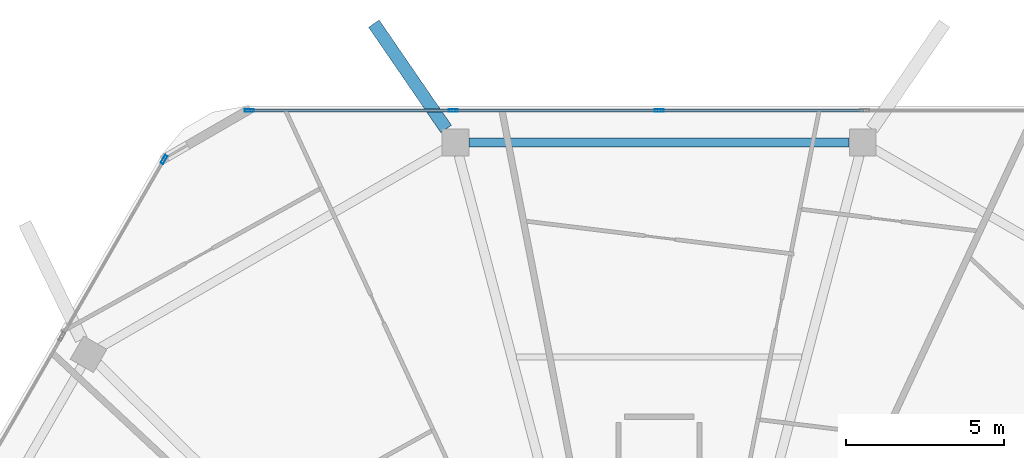
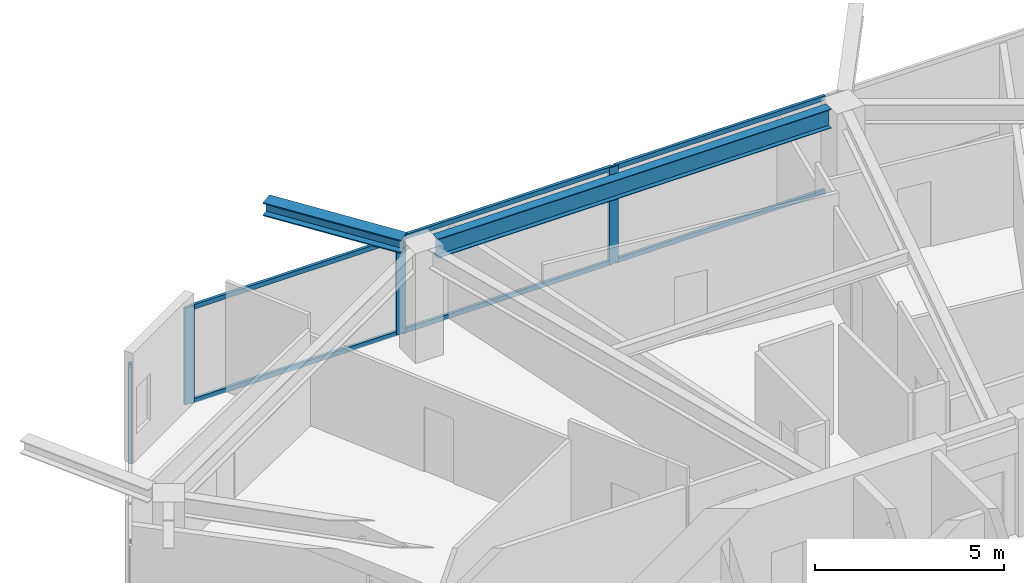
# One storey, part 13 of 26: 10 members, 2 beams, 2 elements without a shape of their own.
"""IFC4 building model written with IfcOpenShell, lengths in metres."""

from ifc_helpers import new_model, si_unit, direction, frame, origin, origin_2d, place, context, subcontext, project, spatial, hollow_rectangle, i_section, extrude, material, material_profile, profile_set, type_object, element, aggregate, save


model = new_model("IFC4")

# Units and contexts
model_context = context("Model", 3, precision=1e-05, world=origin(), true_north=direction((0.0, 1.0)))
body_context = subcontext(model_context, "Body", "Model", "MODEL_VIEW")
ifc_project = project(units=[si_unit("LENGTHUNIT", "METRE"), si_unit("AREAUNIT", "SQUARE_METRE"), si_unit("VOLUMEUNIT", "CUBIC_METRE"), si_unit("PLANEANGLEUNIT", "RADIAN"), si_unit("MASSUNIT", "GRAM", prefix="KILO")], contexts=[model_context])

# Site, building, storey
site_placement = place(None, origin())
site = spatial("IfcSite", under=ifc_project, at=site_placement, CompositionType="ELEMENT")
building_placement = place(site_placement, origin())
building = spatial("IfcBuilding", under=site, at=building_placement, Name="Zuhravey Tower", CompositionType="ELEMENT")
storey_placement = place(building_placement, frame((0.0, 0.0, 273.0)))
storey = spatial("IfcBuildingStorey", under=building, at=storey_placement, Name="L69", CompositionType="ELEMENT", Elevation=273.0)

# Curtain wall, member
ifc_material_1 = material(Name="Thermally broken anodised aluminium", Category="aluminium")
curtain_wall_type = type_object("IfcCurtainWallType", Name="Zone 3-4 High-Rise Curtain Wall CW4", PredefinedType="NOTDEFINED", material=ifc_material_1)
curtain_wall_1_placement = place(storey_placement, origin())
curtain_wall_1 = element("IfcCurtainWall", 1, at=curtain_wall_1_placement, inside=storey, type_object=curtain_wall_type, Name="L69 CW4 CW-L69-F3-1", PredefinedType="NOTDEFINED")
ifc_material_2 = material(Name="Anodised aluminium", Category="aluminium")
ifc_material_profile_1 = material_profile(ifc_material_2, hollow_rectangle(XDim=0.090087890625, YDim=0.284912109375, WallThickness=0.0048828125, at=origin_2d()), Name="ALU-RHS-90x285x5")
ifc_profile_set_1 = profile_set([ifc_material_profile_1], Name="Anodised aluminium")
member_type_1 = type_object("IfcMemberType", Name="Curtain-Wall Mullion 90x180", PredefinedType="MULLION", material=ifc_profile_set_1)
member_1_placement = place(storey_placement, frame((20.34521484375, 56.01220703125, 0.0), z_axis=(0.0, 0.0, 1.0), x_axis=(-0.866024851021, 0.500000957414, 0.0)))
member_1 = element("IfcMember", 2, at=member_1_placement, type_object=member_type_1, Name="CW4 mullion 5", PredefinedType="MULLION", context=body_context, shape_type="SweptSolid", body=[
    extrude(hollow_rectangle(XDim=0.090087890625, YDim=0.284912109375, WallThickness=0.0048828125, at=origin_2d()), origin(), (0.0, 0.0, 1.0), 3.1220703125),
])
aggregate(curtain_wall_1, [member_1])

# Curtain wall, members
curtain_wall_2_placement = place(storey_placement, origin())
curtain_wall_2 = element("IfcCurtainWall", 3, at=curtain_wall_2_placement, inside=storey, type_object=curtain_wall_type, Name="L69 CW4 CW-L69-F2-1", PredefinedType="NOTDEFINED")
member_2_placement = place(storey_placement, frame((23.0322265625, 57.563720703125, 0.0), z_axis=(0.0, 0.0, 1.0), x_axis=(0.0, 1.0, 0.0)))
member_2 = element("IfcMember", 4, at=member_2_placement, type_object=member_type_1, Name="CW4 mullion 1", PredefinedType="MULLION", context=body_context, shape_type="SweptSolid", body=[
    extrude(hollow_rectangle(XDim=0.090087890625, YDim=0.284912109375, WallThickness=0.0048828125, at=origin_2d()), origin(), (0.0, 0.0, 1.0), 3.1220703125),
])
member_3_placement = place(storey_placement, frame((29.49365234375, 57.563720703125, 0.0), z_axis=(0.0, 0.0, 1.0), x_axis=(0.0, 1.0, 0.0)))
member_3 = element("IfcMember", 5, at=member_3_placement, type_object=member_type_1, Name="CW4 mullion 2", PredefinedType="MULLION", context=body_context, shape_type="SweptSolid", body=[
    extrude(hollow_rectangle(XDim=0.090087890625, YDim=0.284912109375, WallThickness=0.0048828125, at=origin_2d()), origin(), (0.0, 0.0, 1.0), 3.1220703125),
])
member_4_placement = place(storey_placement, frame((36.0, 57.563720703125, 0.0), z_axis=(0.0, 0.0, 1.0), x_axis=(0.0, 1.0, 0.0)))
member_4 = element("IfcMember", 6, at=member_4_placement, type_object=member_type_1, Name="CW4 mullion 3", PredefinedType="MULLION", context=body_context, shape_type="SweptSolid", body=[
    extrude(hollow_rectangle(XDim=0.090087890625, YDim=0.284912109375, WallThickness=0.0048828125, at=origin_2d()), origin(), (0.0, 0.0, 1.0), 3.1220703125),
])
ifc_material_profile_2 = material_profile(ifc_material_2, hollow_rectangle(XDim=0.090087890625, YDim=0.14990234375, WallThickness=0.0048828125, at=origin_2d()), Name="ALU-RHS-90x150x5")
ifc_profile_set_2 = profile_set([ifc_material_profile_2], Name="Anodised aluminium")
member_type_2 = type_object("IfcMemberType", Name="Curtain-Wall Transom 90x150", PredefinedType="USERDEFINED", material=ifc_profile_set_2)
member_5_placement = place(storey_placement, frame((23.077392578125, 57.563720703125, 0.044921875), z_axis=(1.0, 0.0, 0.0), x_axis=(0.0, 1.0, 0.0)))
member_5 = element("IfcMember", 7, at=member_5_placement, type_object=member_type_2, Name="CW4 transom 1.1", ObjectType="TRANSOM", PredefinedType="USERDEFINED", context=body_context, shape_type="SweptSolid", body=[
    extrude(hollow_rectangle(XDim=0.090087890625, YDim=0.14990234375, WallThickness=0.0048828125, at=origin_2d()), origin(), (0.0, 0.0, 1.0), 6.371337890625),
])
member_6_placement = place(storey_placement, frame((23.077392578125, 57.563720703125, 3.076904296875), z_axis=(1.0, 0.0, 0.0), x_axis=(0.0, 1.0, 0.0)))
member_6 = element("IfcMember", 8, at=member_6_placement, type_object=member_type_2, Name="CW4 transom 1.2", ObjectType="TRANSOM", PredefinedType="USERDEFINED", context=body_context, shape_type="SweptSolid", body=[
    extrude(hollow_rectangle(XDim=0.090087890625, YDim=0.14990234375, WallThickness=0.0048828125, at=origin_2d()), origin(), (0.0, 0.0, 1.0), 6.371337890625),
])
member_7_placement = place(storey_placement, frame((29.53857421875, 57.563720703125, 0.044921875), z_axis=(1.0, 0.0, 0.0), x_axis=(0.0, 1.0, 0.0)))
member_7 = element("IfcMember", 9, at=member_7_placement, type_object=member_type_2, Name="CW4 transom 2.1", ObjectType="TRANSOM", PredefinedType="USERDEFINED", context=body_context, shape_type="SweptSolid", body=[
    extrude(hollow_rectangle(XDim=0.090087890625, YDim=0.14990234375, WallThickness=0.0048828125, at=origin_2d()), origin(), (0.0, 0.0, 1.0), 6.41650390625),
])
member_8_placement = place(storey_placement, frame((29.53857421875, 57.563720703125, 3.076904296875), z_axis=(1.0, 0.0, 0.0), x_axis=(0.0, 1.0, 0.0)))
member_8 = element("IfcMember", 10, at=member_8_placement, type_object=member_type_2, Name="CW4 transom 2.2", ObjectType="TRANSOM", PredefinedType="USERDEFINED", context=body_context, shape_type="SweptSolid", body=[
    extrude(hollow_rectangle(XDim=0.090087890625, YDim=0.14990234375, WallThickness=0.0048828125, at=origin_2d()), origin(), (0.0, 0.0, 1.0), 6.41650390625),
])
member_9_placement = place(storey_placement, frame((36.044921875, 57.563720703125, 0.044921875), z_axis=(1.0, 0.0, 0.0), x_axis=(0.0, 1.0, 0.0)))
member_9 = element("IfcMember", 11, at=member_9_placement, type_object=member_type_2, Name="CW4 transom 3.1", ObjectType="TRANSOM", PredefinedType="USERDEFINED", context=body_context, shape_type="SweptSolid", body=[
    extrude(hollow_rectangle(XDim=0.090087890625, YDim=0.14990234375, WallThickness=0.0048828125, at=origin_2d()), origin(), (0.0, 0.0, 1.0), 6.41650390625),
])
member_10_placement = place(storey_placement, frame((36.044921875, 57.563720703125, 3.076904296875), z_axis=(1.0, 0.0, 0.0), x_axis=(0.0, 1.0, 0.0)))
member_10 = element("IfcMember", 12, at=member_10_placement, type_object=member_type_2, Name="CW4 transom 3.2", ObjectType="TRANSOM", PredefinedType="USERDEFINED", context=body_context, shape_type="SweptSolid", body=[
    extrude(hollow_rectangle(XDim=0.090087890625, YDim=0.14990234375, WallThickness=0.0048828125, at=origin_2d()), origin(), (0.0, 0.0, 1.0), 6.41650390625),
])
aggregate(curtain_wall_2, [member_2, member_3, member_4, member_5, member_6, member_7, member_8, member_9, member_10])

# Beams
ifc_material_3 = material(Name="Steel SM460", Category="steel")
ifc_material_profile_3 = material_profile(ifc_material_3, i_section(OverallWidth=0.406982421875, OverallDepth=0.427978515625, WebThickness=0.02001953125, FlangeThickness=0.034912109375, at=origin_2d()), Name="H-428x407x20x35")
ifc_profile_set_3 = profile_set([ifc_material_profile_3], Name="Steel SM460")
beam_type_1 = type_object("IfcBeamType", Name="Exoskeleton Node Tie Beam H428x407", PredefinedType="BEAM", material=ifc_profile_set_3)
beam_1_placement = place(storey_placement, frame((29.26513671875, 56.98193359375, 3.3359375), z_axis=(-0.565977066696, 0.824420984676, 0.0), x_axis=(-0.824420984676, -0.565977066696, 0.0)))
element("IfcBeam", 13, at=beam_1_placement, inside=storey, type_object=beam_type_1, Name="L69 Exoskeleton Node Tie NT1-04", PredefinedType="BEAM", context=body_context, shape_type="SweptSolid", body=[
    extrude(i_section(OverallWidth=0.406982421875, OverallDepth=0.427978515625, WebThickness=0.02001953125, FlangeThickness=0.034912109375, at=origin_2d()), origin(), (0.0, 0.0, 1.0), 4.038330078125),
])
ifc_material_4 = material(Name="Steel SM355", Category="steel")
ifc_material_profile_4 = material_profile(ifc_material_4, i_section(OverallWidth=0.280029296875, OverallDepth=0.6201171875, WebThickness=0.011962890625, FlangeThickness=0.02001953125, at=origin_2d()), Name="H-620x280x12x20")
ifc_profile_set_4 = profile_set([ifc_material_profile_4], Name="Steel SM355")
beam_type_2 = type_object("IfcBeamType", Name="Perimeter Ring Beam H620x280", PredefinedType="BEAM", material=ifc_profile_set_4)
beam_2_placement = place(storey_placement, frame((42.012939453125, 56.5537109375, 3.239990234375), z_axis=(-1.0, 0.0, 0.0), x_axis=(0.0, -1.0, 0.0)))
element("IfcBeam", 14, at=beam_2_placement, inside=storey, type_object=beam_type_2, Name="L69 PB3 BM-L69-PB-03", PredefinedType="BEAM", context=body_context, shape_type="SweptSolid", body=[
    extrude(i_section(OverallWidth=0.280029296875, OverallDepth=0.6201171875, WebThickness=0.011962890625, FlangeThickness=0.02001953125, at=origin_2d()), origin(), (0.0, 0.0, 1.0), 12.02587890625),
])

save(model, "model.ifc")
